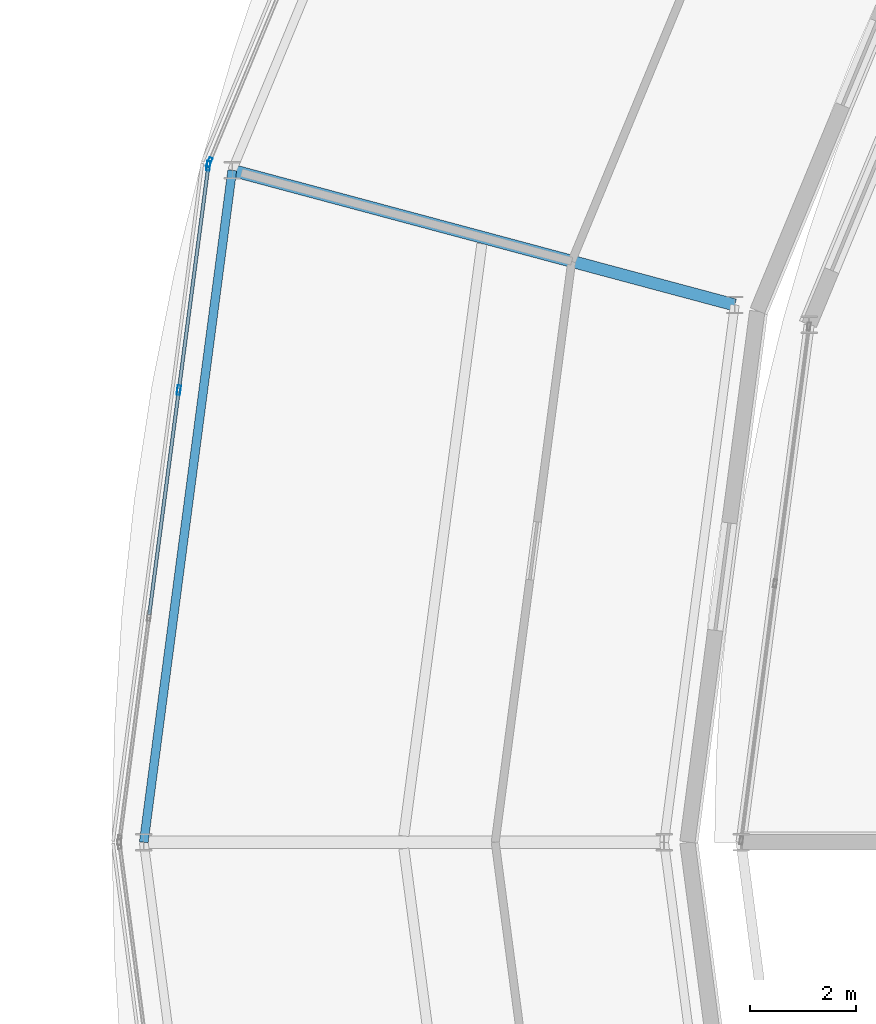
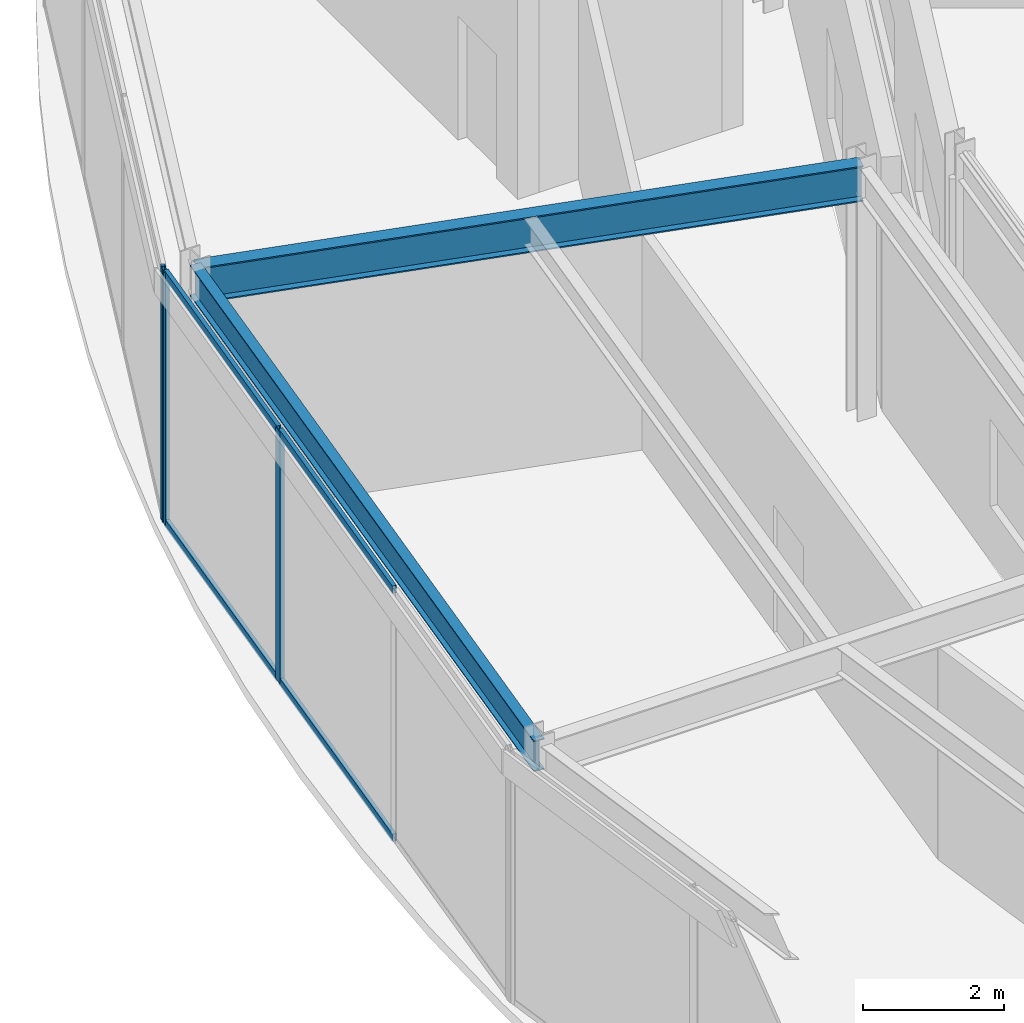
# One storey, part 34 of 133: 7 members, 2 beams, 2 elements without a shape of their own.
"""IFC4 building model written with IfcOpenShell, lengths in metres."""

from ifc_helpers import new_model, si_unit, direction, frame, origin, origin_2d, place, context, subcontext, project, spatial, hollow_rectangle, i_section, extrude, material, material_profile, profile_set, type_object, element, aggregate, save


model = new_model("IFC4")

# Units and contexts
model_context = context("Model", 3, precision=1e-05, world=origin(), true_north=direction((0.0, 1.0)))
body_context = subcontext(model_context, "Body", "Model", "MODEL_VIEW")
ifc_project = project(units=[si_unit("LENGTHUNIT", "METRE"), si_unit("AREAUNIT", "SQUARE_METRE"), si_unit("VOLUMEUNIT", "CUBIC_METRE"), si_unit("PLANEANGLEUNIT", "RADIAN"), si_unit("MASSUNIT", "GRAM", prefix="KILO")], contexts=[model_context])

# Site, building, storey
site_placement = place(None, origin())
site = spatial("IfcSite", under=ifc_project, at=site_placement, CompositionType="ELEMENT")
building_placement = place(site_placement, origin())
building = spatial("IfcBuilding", under=site, at=building_placement, Name="Almandine Court Research Institute", CompositionType="ELEMENT")
storey_placement = place(building_placement, frame((0.0, 0.0, 9.800048828125)))
storey = spatial("IfcBuildingStorey", under=building, at=storey_placement, Name="L02", CompositionType="ELEMENT", Elevation=9.800048828125)

# Beams
ifc_material_1 = material(Name="Steel ASTM A992 Grade 50", Category="steel")
ifc_material_profile_1 = material_profile(ifc_material_1, i_section(OverallWidth=0.22998046875, OverallDepth=0.616943359375, WebThickness=0.012939453125, FlangeThickness=0.02197265625, at=origin_2d()), Name="W610x140")
ifc_profile_set_1 = profile_set([ifc_material_profile_1], Name="Steel ASTM A992 Grade 50")
beam_type_1 = type_object("IfcBeamType", Name="Beam-G-02", PredefinedType="BEAM", material=ifc_profile_set_1)
beam_1_placement = place(storey_placement, frame((49.23193359375, 66.1201171875, 4.06103515625), z_axis=(-0.965937821551, 0.258774274024, 0.0), x_axis=(-0.258774274024, -0.965937821551, 0.0)))
element("IfcBeam", 1, at=beam_1_placement, inside=storey, type_object=beam_type_1, Name="L02 Drum Radial Girder 11", PredefinedType="BEAM", context=body_context, shape_type="SweptSolid", body=[
    extrude(i_section(OverallWidth=0.22998046875, OverallDepth=0.616943359375, WebThickness=0.012939453125, FlangeThickness=0.02197265625, at=origin_2d()), origin(), (0.0, 0.0, 1.0), 9.799560546875),
])
ifc_material_profile_2 = material_profile(ifc_material_1, i_section(OverallWidth=0.166015625, OverallDepth=0.534912109375, WebThickness=0.010009765625, FlangeThickness=0.01708984375, at=origin_2d()), Name="W530x85")
ifc_profile_set_2 = profile_set([ifc_material_profile_2], Name="Steel ASTM A992 Grade 50")
beam_type_2 = type_object("IfcBeamType", Name="Beam-G-05-E", PredefinedType="SPANDREL", material=ifc_profile_set_2)
beam_2_placement = place(storey_placement, frame((39.76611328125, 68.656005859375, 4.10205078125), z_axis=(-0.130512396599, -0.991446677504, 0.0), x_axis=(0.991446677504, -0.130512396599, 0.0)))
element("IfcBeam", 2, at=beam_2_placement, inside=storey, type_object=beam_type_2, Name="L02 Drum OUT Ring Beam 11", PredefinedType="SPANDREL", context=body_context, shape_type="SweptSolid", body=[
    extrude(i_section(OverallWidth=0.166015625, OverallDepth=0.534912109375, WebThickness=0.010009765625, FlangeThickness=0.01708984375, at=origin_2d()), origin(), (0.0, 0.0, 1.0), 12.76513671875),
])

# Curtain wall, member
ifc_material_2 = material(Name="Unitised Curtain Wall Framing and Solar Glazing", Category="glass")
curtain_wall_type = type_object("IfcCurtainWallType", Name="CW-CWJ-19", PredefinedType="USERDEFINED", material=ifc_material_2)
curtain_wall_1_placement = place(storey_placement, origin())
curtain_wall_1 = element("IfcCurtainWall", 3, at=curtain_wall_1_placement, inside=storey, type_object=curtain_wall_type, Name="L02 Stacked-Ring Drum Outer Solar Jali Screen 10", ObjectType="SOLAR JALI SCREEN", PredefinedType="USERDEFINED")
ifc_material_3 = material(Name="Anodised Aluminium AW-6063-T6", Category="aluminium")
ifc_material_profile_3 = material_profile(ifc_material_3, hollow_rectangle(XDim=0.06494140625, YDim=0.179931640625, WallThickness=0.00390625, at=origin_2d()), Name="ALU RHS 65x180x4")
ifc_profile_set_3 = profile_set([ifc_material_profile_3], Name="Anodised Aluminium AW-6063-T6")
member_type_1 = type_object("IfcMemberType", Name="CWMul-65x180", PredefinedType="MULLION", material=ifc_profile_set_3)
member_1_placement = place(storey_placement, frame((39.33544921875, 68.80908203125, 0.0), z_axis=(0.0, 0.0, 1.0), x_axis=(-0.923888124321, 0.382662689242, 0.0)))
member_1 = element("IfcMember", 4, at=member_1_placement, type_object=member_type_1, Name="CWJ-19 mullion 1", PredefinedType="MULLION", context=body_context, shape_type="SweptSolid", body=[
    extrude(hollow_rectangle(XDim=0.06494140625, YDim=0.179931640625, WallThickness=0.00390625, at=origin_2d()), origin(), (0.0, 0.0, 1.0), 4.369873046875),
])
aggregate(curtain_wall_1, [member_1])

# Curtain wall, members
curtain_wall_2_placement = place(storey_placement, origin())
curtain_wall_2 = element("IfcCurtainWall", 5, at=curtain_wall_2_placement, inside=storey, type_object=curtain_wall_type, Name="L02 Stacked-Ring Drum Outer Solar Jali Screen 11", ObjectType="SOLAR JALI SCREEN", PredefinedType="USERDEFINED")
member_2_placement = place(storey_placement, frame((38.7607421875, 64.515380859375, 0.0), z_axis=(0.0, 0.0, 1.0), x_axis=(-0.991442926098, 0.130540891259, 0.0)))
member_2 = element("IfcMember", 6, at=member_2_placement, type_object=member_type_1, Name="CWJ-19 mullion 3", PredefinedType="MULLION", context=body_context, shape_type="SweptSolid", body=[
    extrude(hollow_rectangle(XDim=0.06494140625, YDim=0.179931640625, WallThickness=0.00390625, at=origin_2d()), origin(), (0.0, 0.0, 1.0), 4.369873046875),
])
member_3_placement = place(storey_placement, frame((39.316650390625, 68.73876953125, 0.0), z_axis=(0.0, 0.0, 1.0), x_axis=(-0.991442926098, 0.130540891259, 0.0)))
member_3 = element("IfcMember", 7, at=member_3_placement, type_object=member_type_1, Name="CWJ-19 mullion 4", PredefinedType="MULLION", context=body_context, shape_type="SweptSolid", body=[
    extrude(hollow_rectangle(XDim=0.06494140625, YDim=0.179931640625, WallThickness=0.00390625, at=origin_2d()), origin(), (0.0, 0.0, 1.0), 4.369873046875),
])
ifc_material_profile_4 = material_profile(ifc_material_3, hollow_rectangle(XDim=0.06494140625, YDim=0.1298828125, WallThickness=0.00390625, at=origin_2d()), Name="ALU RHS 65x130x4")
ifc_profile_set_4 = profile_set([ifc_material_profile_4], Name="Anodised Aluminium AW-6063-T6")
member_type_2 = type_object("IfcMemberType", Name="CWTrn-65x130", PredefinedType="NOTDEFINED", material=ifc_profile_set_4)
member_4_placement = place(storey_placement, frame((38.20458984375, 60.2919921875, 0.032470703125), z_axis=(0.130521740045, 0.991445447504, 0.0), x_axis=(-0.991445447504, 0.130521740045, 0.0)))
member_4 = element("IfcMember", 8, at=member_4_placement, type_object=member_type_2, Name="CWJ-19 transom 2.1", ObjectType="TRANSOM", PredefinedType="USERDEFINED", context=body_context, shape_type="SweptSolid", body=[
    extrude(hollow_rectangle(XDim=0.06494140625, YDim=0.1298828125, WallThickness=0.00390625, at=origin_2d()), origin(), (0.0, 0.0, 1.0), 4.227294921875),
])
member_5_placement = place(storey_placement, frame((38.20458984375, 60.2919921875, 4.33740234375), z_axis=(0.130521740045, 0.991445447504, 0.0), x_axis=(-0.991445447504, 0.130521740045, 0.0)))
member_5 = element("IfcMember", 9, at=member_5_placement, type_object=member_type_2, Name="CWJ-19 transom 2.2", ObjectType="TRANSOM", PredefinedType="USERDEFINED", context=body_context, shape_type="SweptSolid", body=[
    extrude(hollow_rectangle(XDim=0.06494140625, YDim=0.1298828125, WallThickness=0.00390625, at=origin_2d()), origin(), (0.0, 0.0, 1.0), 4.227294921875),
])
member_6_placement = place(storey_placement, frame((38.764892578125, 64.547607421875, 0.032470703125), z_axis=(0.130543337873, 0.991442603955, 0.0), x_axis=(-0.991442603955, 0.130543337873, 0.0)))
member_6 = element("IfcMember", 10, at=member_6_placement, type_object=member_type_2, Name="CWJ-19 transom 3.1", ObjectType="TRANSOM", PredefinedType="USERDEFINED", context=body_context, shape_type="SweptSolid", body=[
    extrude(hollow_rectangle(XDim=0.06494140625, YDim=0.1298828125, WallThickness=0.00390625, at=origin_2d()), origin(), (0.0, 0.0, 1.0), 4.19482421875),
])
member_7_placement = place(storey_placement, frame((38.764892578125, 64.547607421875, 4.33740234375), z_axis=(0.130543337873, 0.991442603955, 0.0), x_axis=(-0.991442603955, 0.130543337873, 0.0)))
member_7 = element("IfcMember", 11, at=member_7_placement, type_object=member_type_2, Name="CWJ-19 transom 3.2", ObjectType="TRANSOM", PredefinedType="USERDEFINED", context=body_context, shape_type="SweptSolid", body=[
    extrude(hollow_rectangle(XDim=0.06494140625, YDim=0.1298828125, WallThickness=0.00390625, at=origin_2d()), origin(), (0.0, 0.0, 1.0), 4.19482421875),
])
aggregate(curtain_wall_2, [member_2, member_3, member_4, member_5, member_6, member_7])

save(model, "model.ifc")
